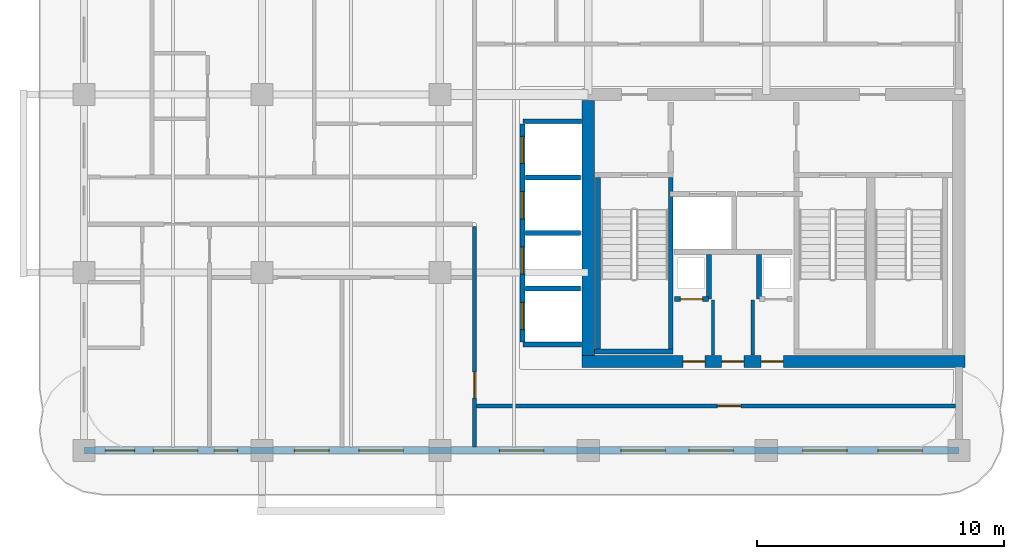
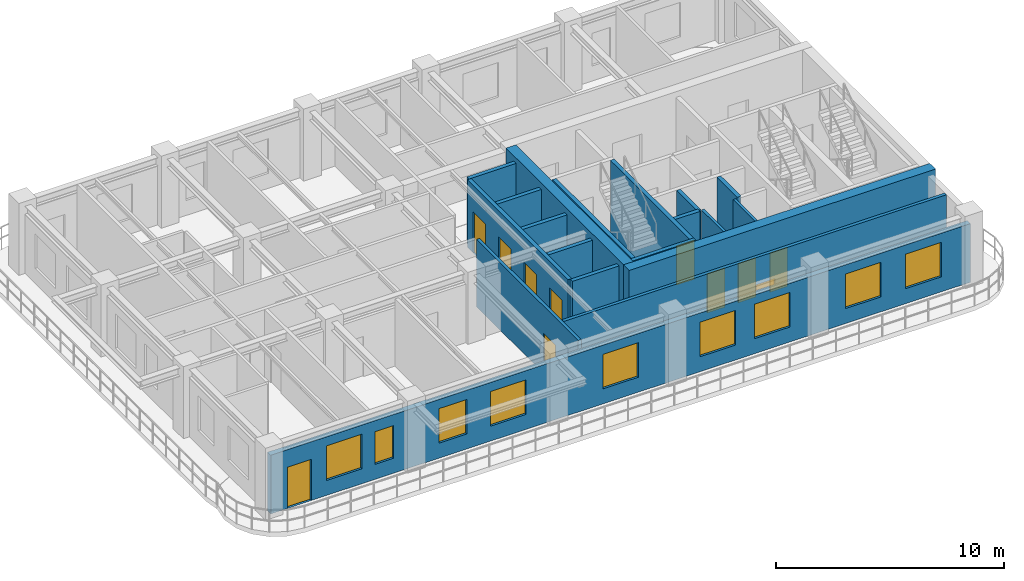
# One storey, part 3 of 7: 19 walls, 11 doors, 9 windows, 20 openings.
"""IFC4 building model written with IfcOpenShell, lengths in metres."""

from ifc_helpers import new_model, si_unit, derived_unit, direction, frame, frame_2d, origin, place, context, subcontext, project, spatial, rectangle, extrude, source, transform, mapped, material, layer, layer_set, type_object, type_shapes, element, fill, save


model = new_model("IFC4")

# Units and contexts
model_context = context("Model", 3, precision=1e-05, world=origin(), true_north=direction((0.0, 1.0)))
body_context = subcontext(model_context, "Body", "Model", "MODEL_VIEW")
ifc_project = project(units=[si_unit("LENGTHUNIT", "METRE"), si_unit("AREAUNIT", "SQUARE_METRE"), si_unit("VOLUMEUNIT", "CUBIC_METRE"), si_unit("PLANEANGLEUNIT", "RADIAN"), si_unit("MASSUNIT", "GRAM", prefix="KILO"), si_unit("THERMODYNAMICTEMPERATUREUNIT", "KELVIN"), si_unit("POWERUNIT", "WATT"), derived_unit("THERMALTRANSMITTANCEUNIT", [(si_unit("POWERUNIT", "WATT"), 1), (si_unit("AREAUNIT", "SQUARE_METRE"), -1), (si_unit("THERMODYNAMICTEMPERATUREUNIT", "KELVIN"), -1)])], contexts=[model_context])

# Site, building, storey
site_placement = place(None, origin())
site = spatial("IfcSite", under=ifc_project, at=site_placement, CompositionType="ELEMENT")
building_placement = place(site_placement, origin())
building = spatial("IfcBuilding", under=site, at=building_placement, Name="Zahravan Archway Hotel and Residences", CompositionType="ELEMENT")
storey_placement = place(building_placement, frame((0.0, 0.0, 221.14990234375)))
storey = spatial("IfcBuildingStorey", under=building, at=storey_placement, Name="L55", CompositionType="ELEMENT", Elevation=221.14990234375)

# Wall, openings, doors
ifc_material_1 = material(Name="Concrete C60/75", Category="concrete")
ifc_layer_1 = layer(ifc_material_1, 0.5, Name="Concrete C60/75", Category="concrete")
ifc_layer_set_1 = layer_set([ifc_layer_1], Name="Concrete C60/75")
wall_type_1 = type_object("IfcWallType", Name="CW-CORE-500", PredefinedType="SHEAR", material=ifc_layer_set_1)
wall_1_placement = place(storey_placement, frame((34.550048828125, 3.60009765625, 0.0), z_axis=(0.0, 0.0, 1.0), x_axis=(1.0, 0.0, 0.0)))
wall_1 = element("IfcWall", 1, at=wall_1_placement, inside=storey, type_object=wall_type_1, Name="L55 Core A Shear S Wall 500 mm", PredefinedType="SHEAR", context=body_context, shape_type="SweptSolid", body=[
    extrude(rectangle(XDim=15.5, YDim=0.5, at=frame_2d((7.75, 0.0))), origin(), (0.0, 0.0, 1.0), 3.85009765625),
])
opening_1_placement = place(wall_1_placement, frame((4.080078125, 0.0, 0.0)))
opening_1 = element("IfcOpeningElement", 2, at=opening_1_placement, cuts=wall_1, Name="Opening FD-R1", PredefinedType="OPENING", context=body_context, shape_type="SweptSolid", body=[
    extrude(rectangle(XDim=0.89990234375, YDim=2.10009765625, at=frame_2d((0.449951171875, 1.050048828125))), frame((0.0, 0.260009765625, 0.0), z_axis=(0.0, -1.0, 0.0), x_axis=(1.0, 0.0, 0.0)), (0.0, 0.0, 1.0), 0.52001953125),
])
opening_2_placement = place(wall_1_placement, frame((5.64990234375, 0.0, 0.0)))
opening_2 = element("IfcOpeningElement", 3, at=opening_2_placement, cuts=wall_1, Name="Opening FD-R1", PredefinedType="OPENING", context=body_context, shape_type="SweptSolid", body=[
    extrude(rectangle(XDim=0.89990234375, YDim=2.10009765625, at=frame_2d((0.449951171875, 1.050048828125))), frame((0.0, 0.260009765625, 0.0), z_axis=(0.0, -1.0, 0.0), x_axis=(1.0, 0.0, 0.0)), (0.0, 0.0, 1.0), 0.52001953125),
])
opening_3_placement = place(wall_1_placement, frame((7.25, 0.0, 0.0)))
opening_3 = element("IfcOpeningElement", 4, at=opening_3_placement, cuts=wall_1, Name="Opening FD-R1", PredefinedType="OPENING", context=body_context, shape_type="SweptSolid", body=[
    extrude(rectangle(XDim=0.89990234375, YDim=2.10009765625, at=frame_2d((0.449951171875, 1.050048828125))), frame((0.0, 0.260009765625, 0.0), z_axis=(0.0, -1.0, 0.0), x_axis=(1.0, 0.0, 0.0)), (0.0, 0.0, 1.0), 0.52001953125),
])
ifc_material_2 = material(Name="Fire-Rated Painted Steel", Category="steel")
door_type_1 = type_object("IfcDoorType", Name="FD-RISER-900", OperationType="NOTDEFINED", PredefinedType="DOOR", material=ifc_material_2)
shared_shape_1 = source(origin(), body_context, "Body", "SweptSolid", [
    extrude(rectangle(XDim=0.89990234375, YDim=2.10009765625, at=frame_2d((0.449951171875, 1.050048828125))), frame((0.0, 0.02490234375, 0.0), z_axis=(0.0, -1.0, 0.0), x_axis=(1.0, 0.0, 0.0)), (0.0, 0.0, 1.0), 0.050048828125),
])
type_shapes(door_type_1, [shared_shape_1])
door_1_placement = place(opening_1_placement, origin())
door_1 = element("IfcDoor", 5, at=door_1_placement, inside=storey, type_object=door_type_1, Name="L55 Linen Store Door", OperationType="SINGLE_SWING_LEFT", OverallHeight=2.10009765625, OverallWidth=0.89990234375, PredefinedType="DOOR", context=body_context, shape_type="MappedRepresentation", body=[
    mapped(shared_shape_1, transform((0.0, 0.0, 0.0), scale=1.0)),
])
fill(opening_1, door_1)
door_2_placement = place(opening_2_placement, origin())
door_2 = element("IfcDoor", 6, at=door_2_placement, inside=storey, type_object=door_type_1, Name="L55 Housekeeping Store Door", OperationType="SINGLE_SWING_RIGHT", OverallHeight=2.10009765625, OverallWidth=0.89990234375, PredefinedType="DOOR", context=body_context, shape_type="MappedRepresentation", body=[
    mapped(shared_shape_1, transform((0.0, 0.0, 0.0), scale=1.0)),
])
fill(opening_2, door_2)
door_3_placement = place(opening_3_placement, origin())
door_3 = element("IfcDoor", 7, at=door_3_placement, inside=storey, type_object=door_type_1, Name="L55 Janitor Store Door", OperationType="SINGLE_SWING_LEFT", OverallHeight=2.10009765625, OverallWidth=0.89990234375, PredefinedType="DOOR", context=body_context, shape_type="MappedRepresentation", body=[
    mapped(shared_shape_1, transform((0.0, 0.0, 0.0), scale=1.0)),
])
fill(opening_3, door_3)

# Wall
wall_2_placement = place(storey_placement, frame((34.800048828125, 3.85009765625, 0.0), z_axis=(0.0, 0.0, 1.0), x_axis=(0.0, 1.0, 0.0)))
element("IfcWall", 8, at=wall_2_placement, inside=storey, type_object=wall_type_1, Name="L55 Core A Shear W Wall 500 mm", PredefinedType="SHEAR", context=body_context, shape_type="SweptSolid", body=[
    extrude(rectangle(XDim=10.2998046875, YDim=0.5, at=frame_2d((5.14990234375, 0.0))), origin(), (0.0, 0.0, 1.0), 3.85009765625),
])

# Wall, openings, door, windows
ifc_material_3 = material(Name="Honed Red-Ochre Sandstone & Insulated Block", Category="masonry")
ifc_layer_2 = layer(ifc_material_3, 0.280029296875, Name="Honed Red-Ochre Sandstone & Insulated Block", Category="masonry")
ifc_layer_set_2 = layer_set([ifc_layer_2], Name="Honed Red-Ochre Sandstone & Insulated Block")
wall_type_2 = type_object("IfcWallType", Name="EW-LOG-280", PredefinedType="SOLIDWALL", material=ifc_layer_set_2)
wall_3_placement = place(storey_placement, frame((14.39990234375, 0.0, 0.0), z_axis=(0.0, 0.0, 1.0), x_axis=(1.0, 0.0, 0.0)))
wall_3 = element("IfcWall", 9, at=wall_3_placement, inside=storey, type_object=wall_type_2, Name="L55 Exterior Sandstone Wall WA-S", PredefinedType="SOLIDWALL", context=body_context, shape_type="SweptSolid", body=[
    extrude(rectangle(XDim=35.400146484375, YDim=0.280029296875, at=frame_2d((17.7001953125, 0.0))), origin(), (0.0, 0.0, 1.0), 3.135009765625),
])
opening_4_placement = place(wall_3_placement, frame((0.85009765625, 0.0, 0.0)))
opening_4 = element("IfcOpeningElement", 10, at=opening_4_placement, cuts=wall_3, Name="Opening ED-BL1", PredefinedType="OPENING", context=body_context, shape_type="SweptSolid", body=[
    extrude(rectangle(XDim=1.199951171875, YDim=2.199951171875, at=frame_2d((0.60009765625, 1.10009765625))), frame((0.0, 0.14990234375, 0.0), z_axis=(0.0, -1.0, 0.0), x_axis=(1.0, 0.0, 0.0)), (0.0, 0.0, 1.0), 0.300048828125),
])
opening_5_placement = place(wall_3_placement, frame((2.81103515625, 0.0, 0.800048828125)))
opening_5 = element("IfcOpeningElement", 11, at=opening_5_placement, cuts=wall_3, Name="Opening W-02", PredefinedType="OPENING", context=body_context, shape_type="SweptSolid", body=[
    extrude(rectangle(XDim=1.800048828125, YDim=1.85009765625, at=frame_2d((0.89990234375, 0.925048828125))), frame((0.0, 0.14990234375, 0.0), z_axis=(0.0, -1.0, 0.0), x_axis=(1.0, 0.0, 0.0)), (0.0, 0.0, 1.0), 0.300048828125),
])
opening_6_placement = place(wall_3_placement, frame((5.26904296875, 0.0, 0.800048828125)))
opening_6 = element("IfcOpeningElement", 12, at=opening_6_placement, cuts=wall_3, Name="Opening W-04", PredefinedType="OPENING", context=body_context, shape_type="SweptSolid", body=[
    extrude(rectangle(XDim=0.949951171875, YDim=1.75, at=frame_2d((0.47509765625, 0.875))), frame((0.0, 0.14990234375, 0.0), z_axis=(0.0, -1.0, 0.0), x_axis=(1.0, 0.0, 0.0)), (0.0, 0.0, 1.0), 0.300048828125),
])
opening_7_placement = place(wall_3_placement, frame((8.51611328125, 0.0, 0.800048828125)))
opening_7 = element("IfcOpeningElement", 13, at=opening_7_placement, cuts=wall_3, Name="Opening W-03", PredefinedType="OPENING", context=body_context, shape_type="SweptSolid", body=[
    extrude(rectangle(XDim=1.39990234375, YDim=1.85009765625, at=frame_2d((0.699951171875, 0.925048828125))), frame((0.0, 0.14990234375, 0.0), z_axis=(0.0, -1.0, 0.0), x_axis=(1.0, 0.0, 0.0)), (0.0, 0.0, 1.0), 0.300048828125),
])
opening_8_placement = place(wall_3_placement, frame((11.1240234375, 0.0, 0.800048828125)))
opening_8 = element("IfcOpeningElement", 14, at=opening_8_placement, cuts=wall_3, Name="Opening W-02", PredefinedType="OPENING", context=body_context, shape_type="SweptSolid", body=[
    extrude(rectangle(XDim=1.800048828125, YDim=1.85009765625, at=frame_2d((0.89990234375, 0.925048828125))), frame((0.0, 0.14990234375, 0.0), z_axis=(0.0, -1.0, 0.0), x_axis=(1.0, 0.0, 0.0)), (0.0, 0.0, 1.0), 0.300048828125),
])
opening_9_placement = place(wall_3_placement, frame((16.803955078125, 0.0, 0.800048828125)))
opening_9 = element("IfcOpeningElement", 15, at=opening_9_placement, cuts=wall_3, Name="Opening W-02", PredefinedType="OPENING", context=body_context, shape_type="SweptSolid", body=[
    extrude(rectangle(XDim=1.800048828125, YDim=1.85009765625, at=frame_2d((0.89990234375, 0.925048828125))), frame((0.0, 0.14990234375, 0.0), z_axis=(0.0, -1.0, 0.0), x_axis=(1.0, 0.0, 0.0)), (0.0, 0.0, 1.0), 0.300048828125),
])
opening_10_placement = place(wall_3_placement, frame((21.72509765625, 0.0, 0.800048828125)))
opening_10 = element("IfcOpeningElement", 16, at=opening_10_placement, cuts=wall_3, Name="Opening W-02", PredefinedType="OPENING", context=body_context, shape_type="SweptSolid", body=[
    extrude(rectangle(XDim=1.800048828125, YDim=1.85009765625, at=frame_2d((0.89990234375, 0.925048828125))), frame((0.0, 0.14990234375, 0.0), z_axis=(0.0, -1.0, 0.0), x_axis=(1.0, 0.0, 0.0)), (0.0, 0.0, 1.0), 0.300048828125),
])
opening_11_placement = place(wall_3_placement, frame((24.47509765625, 0.0, 0.800048828125)))
opening_11 = element("IfcOpeningElement", 17, at=opening_11_placement, cuts=wall_3, Name="Opening W-02", PredefinedType="OPENING", context=body_context, shape_type="SweptSolid", body=[
    extrude(rectangle(XDim=1.800048828125, YDim=1.85009765625, at=frame_2d((0.89990234375, 0.925048828125))), frame((0.0, 0.14990234375, 0.0), z_axis=(0.0, -1.0, 0.0), x_axis=(1.0, 0.0, 0.0)), (0.0, 0.0, 1.0), 0.300048828125),
])
opening_12_placement = place(wall_3_placement, frame((29.074951171875, 0.0, 0.800048828125)))
opening_12 = element("IfcOpeningElement", 18, at=opening_12_placement, cuts=wall_3, Name="Opening W-02", PredefinedType="OPENING", context=body_context, shape_type="SweptSolid", body=[
    extrude(rectangle(XDim=1.800048828125, YDim=1.85009765625, at=frame_2d((0.89990234375, 0.925048828125))), frame((0.0, 0.14990234375, 0.0), z_axis=(0.0, -1.0, 0.0), x_axis=(1.0, 0.0, 0.0)), (0.0, 0.0, 1.0), 0.300048828125),
])
opening_13_placement = place(wall_3_placement, frame((32.125, 0.0, 0.800048828125)))
opening_13 = element("IfcOpeningElement", 19, at=opening_13_placement, cuts=wall_3, Name="Opening W-02", PredefinedType="OPENING", context=body_context, shape_type="SweptSolid", body=[
    extrude(rectangle(XDim=1.800048828125, YDim=1.85009765625, at=frame_2d((0.89990234375, 0.925048828125))), frame((0.0, 0.14990234375, 0.0), z_axis=(0.0, -1.0, 0.0), x_axis=(1.0, 0.0, 0.0)), (0.0, 0.0, 1.0), 0.300048828125),
])
ifc_material_4 = material(Name="Bronze-Anodized Glazed Aluminium", Category="aluminium")
door_type_2 = type_object("IfcDoorType", Name="ED-BALC-1200", OperationType="SLIDING_TO_LEFT", PredefinedType="DOOR", material=ifc_material_4)
shared_shape_2 = source(origin(), body_context, "Body", "SweptSolid", [
    extrude(rectangle(XDim=1.199951171875, YDim=2.199951171875, at=frame_2d((0.60009765625, 1.10009765625))), frame((0.0, 0.02490234375, 0.0), z_axis=(0.0, -1.0, 0.0), x_axis=(1.0, 0.0, 0.0)), (0.0, 0.0, 1.0), 0.050048828125),
])
type_shapes(door_type_2, [shared_shape_2])
door_4_placement = place(opening_4_placement, origin())
door_4 = element("IfcDoor", 20, at=door_4_placement, inside=storey, type_object=door_type_2, Name="L55 Outdoor Access Sliding Door (SLB-BAL-L55-SA)", OperationType="SLIDING_TO_LEFT", OverallHeight=2.199951171875, OverallWidth=1.199951171875, PredefinedType="DOOR", context=body_context, shape_type="MappedRepresentation", body=[
    mapped(shared_shape_2, transform((0.0, 0.0, 0.0), scale=1.0)),
])
fill(opening_4, door_4)
ifc_material_5 = material(Name="Bronze-Anodized Thermal-Break Aluminium & Low-E Glass", Category="aluminium")
window_type_1 = type_object("IfcWindowType", Name="WIN-TWR-1400", PartitioningType="SINGLE_PANEL", PredefinedType="WINDOW", material=ifc_material_5)
shared_shape_3 = source(origin(), body_context, "Body", "SweptSolid", [
    extrude(rectangle(XDim=1.39990234375, YDim=1.85009765625, at=frame_2d((0.699951171875, 0.925048828125))), frame((0.0, 0.030029296875, 0.0), z_axis=(0.0, -1.0, 0.0), x_axis=(1.0, 0.0, 0.0)), (0.0, 0.0, 1.0), 0.06005859375),
])
type_shapes(window_type_1, [shared_shape_3])
window_1_placement = place(opening_7_placement, origin())
window_1 = element("IfcWindow", 21, at=window_1_placement, inside=storey, type_object=window_type_1, Name="L55 Loggia Window 03", OverallHeight=1.85009765625, OverallWidth=1.39990234375, PartitioningType="SINGLE_PANEL", PredefinedType="WINDOW", context=body_context, shape_type="MappedRepresentation", body=[
    mapped(shared_shape_3, transform((0.0, 0.0, 0.0), scale=1.0)),
])
fill(opening_7, window_1)
window_type_2 = type_object("IfcWindowType", Name="WIN-NAR-950", PartitioningType="SINGLE_PANEL", PredefinedType="WINDOW", material=ifc_material_5)
shared_shape_4 = source(origin(), body_context, "Body", "SweptSolid", [
    extrude(rectangle(XDim=0.949951171875, YDim=1.75, at=frame_2d((0.47509765625, 0.875))), frame((0.0, 0.030029296875, 0.0), z_axis=(0.0, -1.0, 0.0), x_axis=(1.0, 0.0, 0.0)), (0.0, 0.0, 1.0), 0.06005859375),
])
type_shapes(window_type_2, [shared_shape_4])
window_2_placement = place(opening_6_placement, origin())
window_2 = element("IfcWindow", 22, at=window_2_placement, inside=storey, type_object=window_type_2, Name="L55 Loggia Window 02", OverallHeight=1.75, OverallWidth=0.949951171875, PartitioningType="SINGLE_PANEL", PredefinedType="WINDOW", context=body_context, shape_type="MappedRepresentation", body=[
    mapped(shared_shape_4, transform((0.0, 0.0, 0.0), scale=1.0)),
])
fill(opening_6, window_2)
window_type_3 = type_object("IfcWindowType", Name="WIN-TWR-1800", PartitioningType="DOUBLE_PANEL_VERTICAL", PredefinedType="WINDOW", material=ifc_material_5)
shared_shape_5 = source(origin(), body_context, "Body", "SweptSolid", [
    extrude(rectangle(XDim=1.800048828125, YDim=1.85009765625, at=frame_2d((0.89990234375, 0.925048828125))), frame((0.0, 0.030029296875, 0.0), z_axis=(0.0, -1.0, 0.0), x_axis=(1.0, 0.0, 0.0)), (0.0, 0.0, 1.0), 0.06005859375),
])
type_shapes(window_type_3, [shared_shape_5])
window_3_placement = place(opening_5_placement, origin())
window_3 = element("IfcWindow", 23, at=window_3_placement, inside=storey, type_object=window_type_3, Name="L55 Loggia Window 01", OverallHeight=1.85009765625, OverallWidth=1.800048828125, PartitioningType="DOUBLE_PANEL_VERTICAL", PredefinedType="WINDOW", context=body_context, shape_type="MappedRepresentation", body=[
    mapped(shared_shape_5, transform((0.0, 0.0, 0.0), scale=1.0)),
])
fill(opening_5, window_3)
window_4_placement = place(opening_8_placement, origin())
window_4 = element("IfcWindow", 24, at=window_4_placement, inside=storey, type_object=window_type_3, Name="L55 Loggia Window 04", OverallHeight=1.85009765625, OverallWidth=1.800048828125, PartitioningType="DOUBLE_PANEL_VERTICAL", PredefinedType="WINDOW", context=body_context, shape_type="MappedRepresentation", body=[
    mapped(shared_shape_5, transform((0.0, 0.0, 0.0), scale=1.0)),
])
fill(opening_8, window_4)
window_5_placement = place(opening_9_placement, origin())
window_5 = element("IfcWindow", 25, at=window_5_placement, inside=storey, type_object=window_type_3, Name="L55 Loggia Window 05", OverallHeight=1.85009765625, OverallWidth=1.800048828125, PartitioningType="DOUBLE_PANEL_VERTICAL", PredefinedType="WINDOW", context=body_context, shape_type="MappedRepresentation", body=[
    mapped(shared_shape_5, transform((0.0, 0.0, 0.0), scale=1.0)),
])
fill(opening_9, window_5)
window_6_placement = place(opening_10_placement, origin())
window_6 = element("IfcWindow", 26, at=window_6_placement, inside=storey, type_object=window_type_3, Name="L55 Loggia Window 06", OverallHeight=1.85009765625, OverallWidth=1.800048828125, PartitioningType="DOUBLE_PANEL_VERTICAL", PredefinedType="WINDOW", context=body_context, shape_type="MappedRepresentation", body=[
    mapped(shared_shape_5, transform((0.0, 0.0, 0.0), scale=1.0)),
])
fill(opening_10, window_6)
window_7_placement = place(opening_11_placement, origin())
window_7 = element("IfcWindow", 27, at=window_7_placement, inside=storey, type_object=window_type_3, Name="L55 Loggia Window 07", OverallHeight=1.85009765625, OverallWidth=1.800048828125, PartitioningType="DOUBLE_PANEL_VERTICAL", PredefinedType="WINDOW", context=body_context, shape_type="MappedRepresentation", body=[
    mapped(shared_shape_5, transform((0.0, 0.0, 0.0), scale=1.0)),
])
fill(opening_11, window_7)
window_8_placement = place(opening_12_placement, origin())
window_8 = element("IfcWindow", 28, at=window_8_placement, inside=storey, type_object=window_type_3, Name="L55 Loggia Window 08", OverallHeight=1.85009765625, OverallWidth=1.800048828125, PartitioningType="DOUBLE_PANEL_VERTICAL", PredefinedType="WINDOW", context=body_context, shape_type="MappedRepresentation", body=[
    mapped(shared_shape_5, transform((0.0, 0.0, 0.0), scale=1.0)),
])
fill(opening_12, window_8)
window_9_placement = place(opening_13_placement, origin())
window_9 = element("IfcWindow", 29, at=window_9_placement, inside=storey, type_object=window_type_3, Name="L55 Loggia Window 09", OverallHeight=1.85009765625, OverallWidth=1.800048828125, PartitioningType="DOUBLE_PANEL_VERTICAL", PredefinedType="WINDOW", context=body_context, shape_type="MappedRepresentation", body=[
    mapped(shared_shape_5, transform((0.0, 0.0, 0.0), scale=1.0)),
])
fill(opening_13, window_9)

# Wall, opening, door
ifc_material_6 = material(Name="Fire-Rated Gypsum & Concrete Block", Category="concrete")
ifc_layer_3 = layer(ifc_material_6, 0.159912109375, Name="Fire-Rated Gypsum & Concrete Block", Category="concrete")
ifc_layer_set_3 = layer_set([ifc_layer_3], Name="Fire-Rated Gypsum & Concrete Block")
wall_type_3 = type_object("IfcWallType", Name="PW-CORR-160", PredefinedType="PARTITIONING", material=ifc_layer_set_3)
wall_4_placement = place(storey_placement, frame((30.199951171875, 0.14794921875, 0.0), z_axis=(0.0, 0.0, 1.0), x_axis=(0.0, 1.0, 0.0)))
wall_4 = element("IfcWall", 30, at=wall_4_placement, inside=storey, type_object=wall_type_3, Name="L55 Partition WA-SRW", PredefinedType="PARTITIONING", context=body_context, shape_type="SweptSolid", body=[
    extrude(rectangle(XDim=8.912109375, YDim=0.159912109375, at=frame_2d((4.4560546875, 0.0))), origin(), (0.0, 0.0, 1.0), 3.60009765625),
])
opening_14_placement = place(wall_4_placement, frame((1.97705078125, 0.0, 0.0)))
opening_14 = element("IfcOpeningElement", 31, at=opening_14_placement, cuts=wall_4, Name="Opening FD-L2", PredefinedType="OPENING", context=body_context, shape_type="SweptSolid", body=[
    extrude(rectangle(XDim=1.050048828125, YDim=2.14990234375, at=frame_2d((0.52490234375, 1.074951171875))), frame((0.0, 0.08984375, 0.0), z_axis=(0.0, -1.0, 0.0), x_axis=(1.0, 0.0, 0.0)), (0.0, 0.0, 1.0), 0.179931640625),
])
door_type_3 = type_object("IfcDoorType", Name="FD-LOBBY-1100", OperationType="NOTDEFINED", PredefinedType="DOOR", material=ifc_material_2)
shared_shape_6 = source(origin(), body_context, "Body", "SweptSolid", [
    extrude(rectangle(XDim=1.050048828125, YDim=2.14990234375, at=frame_2d((0.52490234375, 1.074951171875))), frame((0.0, 0.02490234375, 0.0), z_axis=(0.0, -1.0, 0.0), x_axis=(1.0, 0.0, 0.0)), (0.0, 0.0, 1.0), 0.050048828125),
])
type_shapes(door_type_3, [shared_shape_6])
door_5_placement = place(opening_14_placement, origin())
door_5 = element("IfcDoor", 32, at=door_5_placement, inside=storey, type_object=door_type_3, Name="L55 South Riser Corridor Door", OperationType="SINGLE_SWING_RIGHT", OverallHeight=2.14990234375, OverallWidth=1.050048828125, PredefinedType="DOOR", context=body_context, shape_type="MappedRepresentation", body=[
    mapped(shared_shape_6, transform((0.0, 0.0, 0.0), scale=1.0)),
])
fill(opening_14, door_5)

wall_5_placement = place(storey_placement, frame((30.2900390625, 1.800048828125, 0.0), z_axis=(0.0, 0.0, 1.0), x_axis=(1.0, 0.0, 0.0)))
wall_5 = element("IfcWall", 33, at=wall_5_placement, inside=storey, type_object=wall_type_3, Name="L55 Partition WA-SRS", PredefinedType="PARTITIONING", context=body_context, shape_type="SweptSolid", body=[
    extrude(rectangle(XDim=19.369873046875, YDim=0.159912109375, at=frame_2d((9.68505859375, 0.0))), origin(), (0.0, 0.0, 1.0), 3.60009765625),
])
opening_15_placement = place(wall_5_placement, frame((9.735107421875, 0.0, 0.0)))
opening_15 = element("IfcOpeningElement", 34, at=opening_15_placement, cuts=wall_5, Name="Opening D-I1", PredefinedType="OPENING", context=body_context, shape_type="SweptSolid", body=[
    extrude(rectangle(XDim=0.949951171875, YDim=2.14990234375, at=frame_2d((0.47509765625, 1.074951171875))), frame((0.0, 0.08984375, 0.0), z_axis=(0.0, -1.0, 0.0), x_axis=(1.0, 0.0, 0.0)), (0.0, 0.0, 1.0), 0.179931640625),
])
ifc_material_7 = material(Name="Hardwood Veneer Timber", Category="wood")
door_type_4 = type_object("IfcDoorType", Name="ID-INT-950", OperationType="NOTDEFINED", PredefinedType="DOOR", material=ifc_material_7)
shared_shape_7 = source(origin(), body_context, "Body", "SweptSolid", [
    extrude(rectangle(XDim=0.949951171875, YDim=2.14990234375, at=frame_2d((0.47509765625, 1.074951171875))), frame((0.0, 0.02490234375, 0.0), z_axis=(0.0, -1.0, 0.0), x_axis=(1.0, 0.0, 0.0)), (0.0, 0.0, 1.0), 0.050048828125),
])
type_shapes(door_type_4, [shared_shape_7])
door_6_placement = place(opening_15_placement, origin())
door_6 = element("IfcDoor", 35, at=door_6_placement, inside=storey, type_object=door_type_4, Name="L55 South Viewing Lounge Door", OperationType="SINGLE_SWING_LEFT", OverallHeight=2.14990234375, OverallWidth=0.949951171875, PredefinedType="DOOR", context=body_context, shape_type="MappedRepresentation", body=[
    mapped(shared_shape_7, transform((0.0, 0.0, 0.0), scale=1.0)),
])
fill(opening_15, door_6)

ifc_layer_4 = layer(ifc_material_6, 0.199951171875, Name="Fire-Rated Gypsum & Concrete Block", Category="concrete")
ifc_layer_set_4 = layer_set([ifc_layer_4], Name="Fire-Rated Gypsum & Concrete Block")
wall_type_4 = type_object("IfcWallType", Name="PW-SHAFT-200", PredefinedType="PARTITIONING", material=ifc_layer_set_4)
wall_6_placement = place(storey_placement, frame((38.2900390625, 6.1201171875, 0.0), z_axis=(0.0, 0.0, 1.0), x_axis=(1.0, 0.0, 0.0)))
wall_6 = element("IfcWall", 36, at=wall_6_placement, inside=storey, type_object=wall_type_4, Name="L55 Partition CA-SMKS", PredefinedType="PARTITIONING", context=body_context, shape_type="SweptSolid", body=[
    extrude(rectangle(XDim=1.3798828125, YDim=0.199951171875, at=frame_2d((0.68994140625, 0.0))), origin(), (0.0, 0.0, 1.0), 3.60009765625),
])
opening_16_placement = place(wall_6_placement, frame((0.239990234375, 0.0, 0.0)))
opening_16 = element("IfcOpeningElement", 37, at=opening_16_placement, cuts=wall_6, Name="Opening FD-R1", PredefinedType="OPENING", context=body_context, shape_type="SweptSolid", body=[
    extrude(rectangle(XDim=0.89990234375, YDim=2.10009765625, at=frame_2d((0.449951171875, 1.050048828125))), frame((0.0, 0.10986328125, 0.0), z_axis=(0.0, -1.0, 0.0), x_axis=(1.0, 0.0, 0.0)), (0.0, 0.0, 1.0), 0.219970703125),
])
door_7_placement = place(opening_16_placement, origin())
door_7 = element("IfcDoor", 38, at=door_7_placement, inside=storey, type_object=door_type_1, Name="L55 Smoke Riser Access Door", OperationType="SINGLE_SWING_LEFT", OverallHeight=2.10009765625, OverallWidth=0.89990234375, PredefinedType="DOOR", context=body_context, shape_type="MappedRepresentation", body=[
    mapped(shared_shape_1, transform((0.0, 0.0, 0.0), scale=1.0)),
])
fill(opening_16, door_7)

# Walls
for number, where, z_axis, x_axis, name in (
    (39, (39.679931640625, 6.1298828125, 0.0), (0.0, 0.0, 1.0), (0.0, 1.0, 0.0), "L55 Partition CA-SMKE"),
    (40, (41.719970703125, 6.1298828125, 0.0), (0.0, 0.0, 1.0), (0.0, 1.0, 0.0), "L55 Partition CA-MEPW"),
):
    element("IfcWall", number, at=place(storey_placement, frame(where, z_axis=z_axis, x_axis=x_axis)), inside=storey, type_object=wall_type_4, Name=name, PredefinedType="PARTITIONING", context=body_context, shape_type="SweptSolid", body=[
        extrude(rectangle(XDim=1.7900390625, YDim=0.199951171875, at=frame_2d((0.89501953125, 0.0))), origin(), (0.0, 0.0, 1.0), 3.60009765625),
    ])
for number, where, z_axis, x_axis, name in (
    (41, (32.159912109375, 4.280029296875, 0.0), (0.0, 0.0, 1.0), (1.0, 0.0, 0.0), "L55 Partition B3-S"),
    (42, (32.159912109375, 13.320068359375, 0.0), (0.0, 0.0, 1.0), (1.0, 0.0, 0.0), "L55 Partition B3-N"),
):
    element("IfcWall", number, at=place(storey_placement, frame(where, z_axis=z_axis, x_axis=x_axis)), inside=storey, type_object=wall_type_4, Name=name, PredefinedType="PARTITIONING", context=body_context, shape_type="SweptSolid", body=[
        extrude(rectangle(XDim=2.360107421875, YDim=0.199951171875, at=frame_2d((1.18017578125, 0.0))), origin(), (0.0, 0.0, 1.0), 3.60009765625),
    ])

# Wall, openings, doors
wall_7_placement = place(storey_placement, frame((32.14990234375, 4.389892578125, 0.0), z_axis=(0.0, 0.0, 1.0), x_axis=(0.0, 1.0, 0.0)))
wall_7 = element("IfcWall", 43, at=wall_7_placement, inside=storey, type_object=wall_type_4, Name="L55 Partition B3-W", PredefinedType="PARTITIONING", context=body_context, shape_type="SweptSolid", body=[
    extrude(rectangle(XDim=8.820068359375, YDim=0.199951171875, at=frame_2d((4.41015625, 0.0))), origin(), (0.0, 0.0, 1.0), 3.60009765625),
])
opening_17_placement = place(wall_7_placement, frame((0.5, 0.0, 0.0)))
opening_17 = element("IfcOpeningElement", 44, at=opening_17_placement, cuts=wall_7, Name="Opening LD", PredefinedType="OPENING", context=body_context, shape_type="SweptSolid", body=[
    extrude(rectangle(XDim=1.10009765625, YDim=2.199951171875, at=frame_2d((0.550048828125, 1.10009765625))), frame((0.0, 0.10986328125, 0.0), z_axis=(0.0, -1.0, 0.0), x_axis=(1.0, 0.0, 0.0)), (0.0, 0.0, 1.0), 0.219970703125),
])
opening_18_placement = place(wall_7_placement, frame((2.739990234375, 0.0, 0.0)))
opening_18 = element("IfcOpeningElement", 45, at=opening_18_placement, cuts=wall_7, Name="Opening LD", PredefinedType="OPENING", context=body_context, shape_type="SweptSolid", body=[
    extrude(rectangle(XDim=1.10009765625, YDim=2.199951171875, at=frame_2d((0.550048828125, 1.10009765625))), frame((0.0, 0.10986328125, 0.0), z_axis=(0.0, -1.0, 0.0), x_axis=(1.0, 0.0, 0.0)), (0.0, 0.0, 1.0), 0.219970703125),
])
opening_19_placement = place(wall_7_placement, frame((4.97998046875, 0.0, 0.0)))
opening_19 = element("IfcOpeningElement", 46, at=opening_19_placement, cuts=wall_7, Name="Opening LD", PredefinedType="OPENING", context=body_context, shape_type="SweptSolid", body=[
    extrude(rectangle(XDim=1.10009765625, YDim=2.199951171875, at=frame_2d((0.550048828125, 1.10009765625))), frame((0.0, 0.10986328125, 0.0), z_axis=(0.0, -1.0, 0.0), x_axis=(1.0, 0.0, 0.0)), (0.0, 0.0, 1.0), 0.219970703125),
])
opening_20_placement = place(wall_7_placement, frame((7.219970703125, 0.0, 0.0)))
opening_20 = element("IfcOpeningElement", 47, at=opening_20_placement, cuts=wall_7, Name="Opening LD", PredefinedType="OPENING", context=body_context, shape_type="SweptSolid", body=[
    extrude(rectangle(XDim=1.10009765625, YDim=2.199951171875, at=frame_2d((0.550048828125, 1.10009765625))), frame((0.0, 0.10986328125, 0.0), z_axis=(0.0, -1.0, 0.0), x_axis=(1.0, 0.0, 0.0)), (0.0, 0.0, 1.0), 0.219970703125),
])
ifc_material_8 = material(Name="Brushed Stainless Steel", Category="steel")
door_type_5 = type_object("IfcDoorType", Name="DR-LIFT-LD", OperationType="SLIDING_TO_LEFT", PredefinedType="DOOR", material=ifc_material_8)
shared_shape_8 = source(origin(), body_context, "Body", "SweptSolid", [
    extrude(rectangle(XDim=1.10009765625, YDim=2.199951171875, at=frame_2d((0.550048828125, 1.10009765625))), frame((0.0, 0.02490234375, 0.0), z_axis=(0.0, -1.0, 0.0), x_axis=(1.0, 0.0, 0.0)), (0.0, 0.0, 1.0), 0.050048828125),
])
type_shapes(door_type_5, [shared_shape_8])
door_8_placement = place(opening_17_placement, origin())
door_8 = element("IfcDoor", 48, at=door_8_placement, inside=storey, type_object=door_type_5, Name="L55 Lift LP-7 Sliding Landing Door", OperationType="SLIDING_TO_LEFT", OverallHeight=2.199951171875, OverallWidth=1.10009765625, PredefinedType="DOOR", context=body_context, shape_type="MappedRepresentation", body=[
    mapped(shared_shape_8, transform((0.0, 0.0, 0.0), scale=1.0)),
])
fill(opening_17, door_8)
door_9_placement = place(opening_18_placement, origin())
door_9 = element("IfcDoor", 49, at=door_9_placement, inside=storey, type_object=door_type_5, Name="L55 Lift LP-8 Sliding Landing Door", OperationType="SLIDING_TO_LEFT", OverallHeight=2.199951171875, OverallWidth=1.10009765625, PredefinedType="DOOR", context=body_context, shape_type="MappedRepresentation", body=[
    mapped(shared_shape_8, transform((0.0, 0.0, 0.0), scale=1.0)),
])
fill(opening_18, door_9)
door_10_placement = place(opening_19_placement, origin())
door_10 = element("IfcDoor", 50, at=door_10_placement, inside=storey, type_object=door_type_5, Name="L55 Lift LP-9 Sliding Landing Door", OperationType="SLIDING_TO_LEFT", OverallHeight=2.199951171875, OverallWidth=1.10009765625, PredefinedType="DOOR", context=body_context, shape_type="MappedRepresentation", body=[
    mapped(shared_shape_8, transform((0.0, 0.0, 0.0), scale=1.0)),
])
fill(opening_19, door_10)
door_11_placement = place(opening_20_placement, origin())
door_11 = element("IfcDoor", 51, at=door_11_placement, inside=storey, type_object=door_type_5, Name="L55 Lift LP-10 Sliding Landing Door", OperationType="SLIDING_TO_LEFT", OverallHeight=2.199951171875, OverallWidth=1.10009765625, PredefinedType="DOOR", context=body_context, shape_type="MappedRepresentation", body=[
    mapped(shared_shape_8, transform((0.0, 0.0, 0.0), scale=1.0)),
])
fill(opening_20, door_11)

# Walls
for number, where, z_axis, x_axis, name in (
    (52, (32.260009765625, 6.56005859375, 0.0), (0.0, 0.0, 1.0), (1.0, 0.0, 0.0), "L55 Partition B3-D"),
    (53, (32.260009765625, 8.800048828125, 0.0), (0.0, 0.0, 1.0), (1.0, 0.0, 0.0), "L55 Partition B3-D"),
    (54, (32.260009765625, 11.0400390625, 0.0), (0.0, 0.0, 1.0), (1.0, 0.0, 0.0), "L55 Partition B3-D"),
):
    element("IfcWall", number, at=place(storey_placement, frame(where, z_axis=z_axis, x_axis=x_axis)), inside=storey, type_object=wall_type_4, Name=name, PredefinedType="PARTITIONING", context=body_context, shape_type="SweptSolid", body=[
        extrude(rectangle(XDim=2.22998046875, YDim=0.199951171875, at=frame_2d((1.114990234375, 0.0))), origin(), (0.0, 0.0, 1.0), 3.60009765625),
    ])
ifc_material_9 = material(Name="Moisture-Resistant Blockwork", Category="masonry")
ifc_layer_5 = layer(ifc_material_9, 0.139892578125, Name="Moisture-Resistant Blockwork", Category="masonry")
ifc_layer_set_5 = layer_set([ifc_layer_5], Name="Moisture-Resistant Blockwork")
wall_type_5 = type_object("IfcWallType", Name="PW-WET-140", PredefinedType="PARTITIONING", material=ifc_layer_set_5)
for number, where, z_axis, x_axis, name in (
    (55, (39.85009765625, 3.8701171875, 0.0), (0.0, 0.0, 1.0), (0.0, 1.0, 0.0), "L55 Partition CA-CV1A"),
    (56, (41.449951171875, 3.8701171875, 0.0), (0.0, 0.0, 1.0), (0.0, 1.0, 0.0), "L55 Partition CA-CV1B"),
):
    element("IfcWall", number, at=place(storey_placement, frame(where, z_axis=z_axis, x_axis=x_axis)), inside=storey, type_object=wall_type_5, Name=name, PredefinedType="PARTITIONING", context=body_context, shape_type="SweptSolid", body=[
        extrude(rectangle(XDim=2.2099609375, YDim=0.139892578125, at=frame_2d((1.10498046875, 0.0))), origin(), (0.0, 0.0, 1.0), 3.60009765625),
    ])
ifc_material_10 = material(Name="Concrete C50/60", Category="concrete")
ifc_layer_6 = layer(ifc_material_10, 0.199951171875, Name="Concrete C50/60", Category="concrete")
ifc_layer_set_6 = layer_set([ifc_layer_6], Name="Concrete C50/60")
wall_type_6 = type_object("IfcWallType", Name="SW-STAIR-200", PredefinedType="SHEAR", material=ifc_layer_set_6)
wall_8_placement = place(storey_placement, frame((35.050048828125, 4.0, 0.0), z_axis=(0.0, 0.0, 1.0), x_axis=(1.0, 0.0, 0.0)))
element("IfcWall", 57, at=wall_8_placement, inside=storey, type_object=wall_type_6, Name="L55 Stairwell RC Wall CA-SA1S", PredefinedType="SHEAR", context=body_context, shape_type="SweptSolid", body=[
    extrude(rectangle(XDim=3.18994140625, YDim=0.199951171875, at=frame_2d((1.594970703125, 0.0))), origin(), (0.0, 0.0, 1.0), 3.85009765625),
])
for number, where, z_axis, x_axis, name in (
    (58, (35.199951171875, 4.10009765625, 0.0), (0.0, 0.0, 1.0), (0.0, 1.0, 0.0), "L55 Stairwell RC Wall CA-SA1W"),
    (59, (38.139892578125, 4.10009765625, 0.0), (0.0, 0.0, 1.0), (0.0, 1.0, 0.0), "L55 Stairwell RC Wall CA-SA1E"),
):
    element("IfcWall", number, at=place(storey_placement, frame(where, z_axis=z_axis, x_axis=x_axis)), inside=storey, type_object=wall_type_6, Name=name, PredefinedType="SHEAR", context=body_context, shape_type="SweptSolid", body=[
        extrude(rectangle(XDim=6.949951171875, YDim=0.199951171875, at=frame_2d((3.47509765625, 0.0))), origin(), (0.0, 0.0, 1.0), 3.85009765625),
    ])

save(model, "model.ifc")
